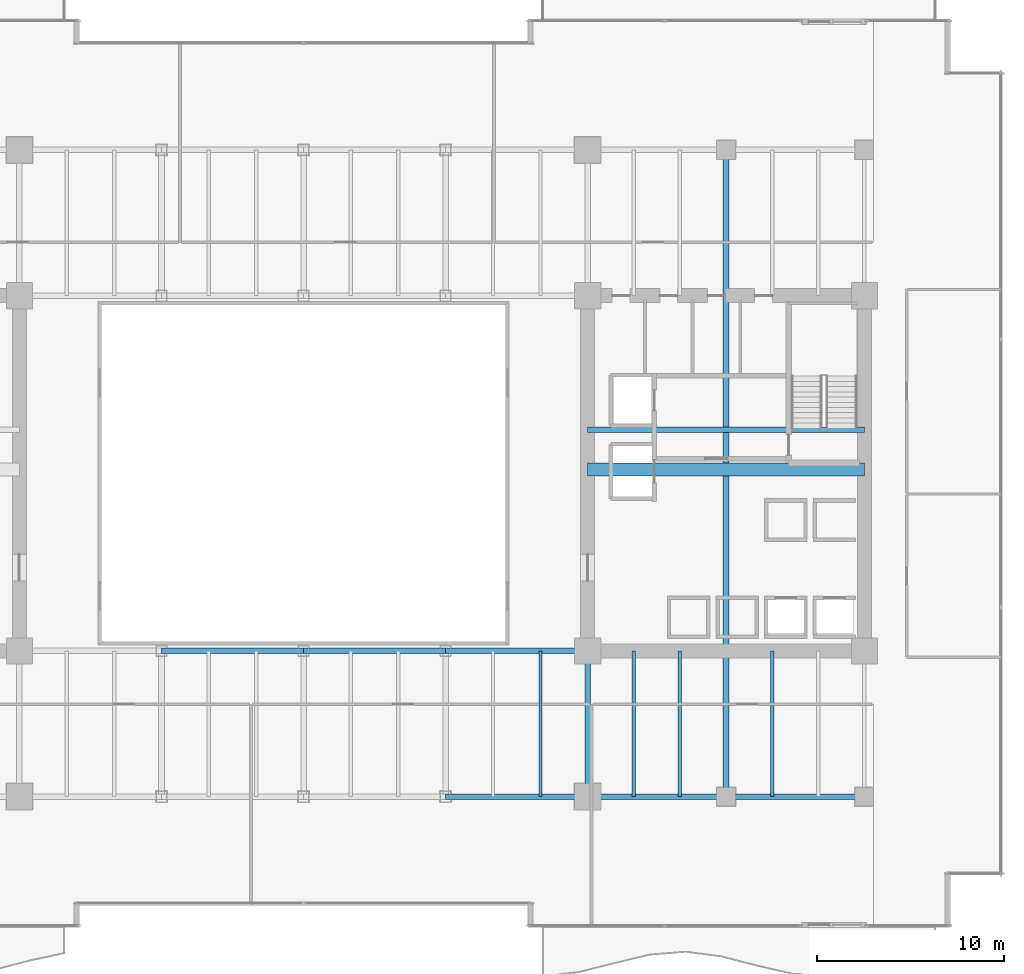
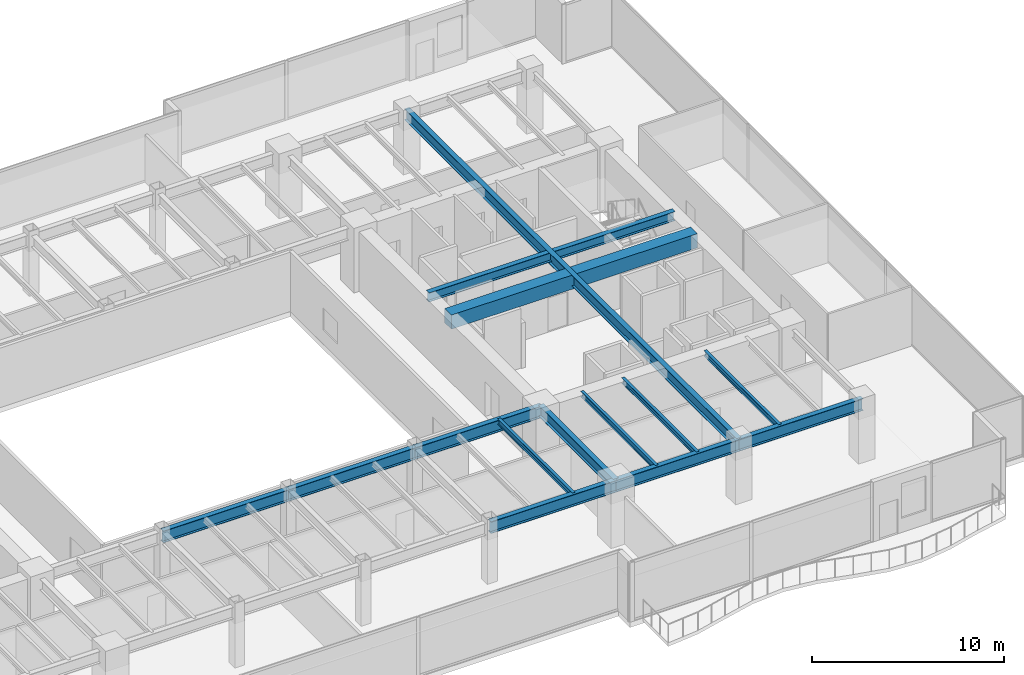
# One storey, part 11 of 32: 14 beams.
"""IFC4 building model written with IfcOpenShell, lengths in metres."""

from ifc_helpers import new_model, si_unit, direction, frame, origin, origin_2d, place, context, subcontext, project, spatial, rectangle, i_section, extrude, source, transform, mapped, material, material_profile, profile_set, type_object, type_shapes, element, save


model = new_model("IFC4")

# Units and contexts
model_context = context("Model", 3, precision=1e-05, world=origin(), true_north=direction((0.0, 1.0)))
body_context = subcontext(model_context, "Body", "Model", "MODEL_VIEW")
ifc_project = project(units=[si_unit("LENGTHUNIT", "METRE"), si_unit("AREAUNIT", "SQUARE_METRE"), si_unit("VOLUMEUNIT", "CUBIC_METRE"), si_unit("PLANEANGLEUNIT", "RADIAN"), si_unit("MASSUNIT", "GRAM", prefix="KILO")], contexts=[model_context])

# Site, building, storey
site_placement = place(None, origin())
site = spatial("IfcSite", under=ifc_project, at=site_placement, CompositionType="ELEMENT")
building_placement = place(site_placement, origin())
building = spatial("IfcBuilding", under=site, at=building_placement, Name="Haelvirn Gate Laboratories", CompositionType="ELEMENT")
storey_placement = place(building_placement, frame((0.0, 0.0, 33.39990234375)))
storey = spatial("IfcBuildingStorey", under=building, at=storey_placement, Name="L08", CompositionType="ELEMENT", Elevation=33.39990234375)

# Beams
ifc_material_1 = material(Name="Concrete C60/75", Category="concrete")
ifc_material_profile_1 = material_profile(ifc_material_1, rectangle(XDim=0.699951171875, YDim=0.89990234375, at=origin_2d()), Name="RCB-700x900")
ifc_profile_set_1 = profile_set([ifc_material_profile_1], Name="Concrete C60/75")
beam_type_1 = type_object("IfcBeamType", Name="BM-RCB-900", PredefinedType="LINTEL", material=ifc_profile_set_1)
shared_shape_1 = source(origin(), body_context, "Body", "SweptSolid", [
    extrude(rectangle(XDim=0.699951171875, YDim=0.89990234375, at=origin_2d()), origin(), (0.0, 0.0, 1.0), 14.7998046875),
])
type_shapes(beam_type_1, [shared_shape_1])
beam_1_placement = place(storey_placement, frame((52.60009765625, 24.5, 3.330078125), z_axis=(1.0, 0.0, 0.0), x_axis=(0.0, 1.0, 0.0)))
element("IfcBeam", 1, at=beam_1_placement, inside=storey, type_object=beam_type_1, Name="L08 East Core Coupling Beam", PredefinedType="LINTEL", context=body_context, shape_type="MappedRepresentation", body=[
    mapped(shared_shape_1, transform((0.0, 0.0, 0.0), scale=1.0)),
])
ifc_material_2 = material(Name="Steel SM355", Category="steel")
ifc_material_profile_2 = material_profile(ifc_material_2, i_section(OverallWidth=0.300048828125, OverallDepth=0.587890625, WebThickness=0.011962890625, FlangeThickness=0.02001953125, at=origin_2d()), Name="H-588x300x12x20")
ifc_profile_set_2 = profile_set([ifc_material_profile_2], Name="Steel SM355")
beam_type_2 = type_object("IfcBeamType", Name="BM-G-588", PredefinedType="BEAM", material=ifc_profile_set_2)
shared_shape_2 = source(origin(), body_context, "Body", "SweptSolid", [
    extrude(i_section(OverallWidth=0.300048828125, OverallDepth=0.587890625, WebThickness=0.011962890625, FlangeThickness=0.02001953125, at=origin_2d()), origin(), (0.0, 0.0, 1.0), 14.7998046875),
])
type_shapes(beam_type_2, [shared_shape_2])
beam_2_placement = place(storey_placement, frame((52.60009765625, 26.6201171875, 3.486083984375), z_axis=(1.0, 0.0, 0.0), x_axis=(0.0, 1.0, 0.0)))
element("IfcBeam", 2, at=beam_2_placement, inside=storey, type_object=beam_type_2, Name="L08 Stair ST2 Landing Header", PredefinedType="BEAM", context=body_context, shape_type="MappedRepresentation", body=[
    mapped(shared_shape_2, transform((0.0, 0.0, 0.0), scale=1.0)),
])
ifc_material_profile_3 = material_profile(ifc_material_2, i_section(OverallWidth=0.300048828125, OverallDepth=0.699951171875, WebThickness=0.012939453125, FlangeThickness=0.02392578125, at=origin_2d()), Name="H-700x300x13x24")
ifc_profile_set_3 = profile_set([ifc_material_profile_3], Name="Steel SM355")
beam_type_3 = type_object("IfcBeamType", Name="BM-G-700", PredefinedType="BEAM", material=ifc_profile_set_3)
shared_shape_3 = source(origin(), body_context, "Body", "SweptSolid", [
    extrude(i_section(OverallWidth=0.300048828125, OverallDepth=0.699951171875, WebThickness=0.012939453125, FlangeThickness=0.02392578125, at=origin_2d()), origin(), (0.0, 0.0, 1.0), 7.800048828125),
])
beam_3_placement = place(storey_placement, frame((52.60009765625, 7.0, 3.43017578125), z_axis=(0.0, 1.0, 0.0), x_axis=(-1.0, 0.0, 0.0)))
element("IfcBeam", 3, at=beam_3_placement, inside=storey, type_object=beam_type_3, Name="L08 Frame Girder X52.6 (7.0-14.8)", PredefinedType="BEAM", context=body_context, shape_type="MappedRepresentation", body=[
    mapped(shared_shape_3, transform((0.0, 0.0, 0.0), scale=1.0)),
])
shared_shape_4 = source(origin(), body_context, "Body", "SweptSolid", [
    extrude(i_section(OverallWidth=0.300048828125, OverallDepth=0.699951171875, WebThickness=0.012939453125, FlangeThickness=0.02392578125, at=origin_2d()), origin(), (0.0, 0.0, 1.0), 34.60009765625),
])
type_shapes(beam_type_3, [shared_shape_3, shared_shape_4])
beam_4_placement = place(storey_placement, frame((60.0, 7.0, 3.43017578125), z_axis=(0.0, 1.0, 0.0), x_axis=(-1.0, 0.0, 0.0)))
element("IfcBeam", 4, at=beam_4_placement, inside=storey, type_object=beam_type_3, Name="L08 Frame Girder X60.0 (7.0-41.6)", PredefinedType="BEAM", context=body_context, shape_type="MappedRepresentation", body=[
    mapped(shared_shape_4, transform((0.0, 0.0, 0.0), scale=1.0)),
])
ifc_material_profile_4 = material_profile(ifc_material_2, i_section(OverallWidth=0.300048828125, OverallDepth=0.75, WebThickness=0.013916015625, FlangeThickness=0.02392578125, at=origin_2d()), Name="H-750x300x14x24")
ifc_profile_set_4 = profile_set([ifc_material_profile_4], Name="Steel SM355")
beam_type_4 = type_object("IfcBeamType", Name="BM-G-750", PredefinedType="BEAM", material=ifc_profile_set_4)
shared_shape_5 = source(origin(), body_context, "Body", "SweptSolid", [
    extrude(i_section(OverallWidth=0.300048828125, OverallDepth=0.75, WebThickness=0.013916015625, FlangeThickness=0.02392578125, at=origin_2d()), origin(), (0.0, 0.0, 1.0), 7.39990234375),
])
for number, where, z_axis, x_axis, name in (
    (5, (52.60009765625, 7.0, 3.405029296875), (1.0, 0.0, 0.0), (0.0, 1.0, 0.0), "L08 Primary Girder Y7.0 (52.6-60.0)"),
    (6, (60.0, 7.0, 3.405029296875), (1.0, 0.0, 0.0), (0.0, 1.0, 0.0), "L08 Primary Girder Y7.0 (60.0-67.4)"),
):
    element("IfcBeam", number, at=place(storey_placement, frame(where, z_axis=z_axis, x_axis=x_axis)), inside=storey, type_object=beam_type_4, Name=name, PredefinedType="BEAM", context=body_context, shape_type="MappedRepresentation", body=[
        mapped(shared_shape_5, transform((0.0, 0.0, 0.0), scale=1.0)),
    ])
shared_shape_6 = source(origin(), body_context, "Body", "SweptSolid", [
    extrude(i_section(OverallWidth=0.300048828125, OverallDepth=0.75, WebThickness=0.013916015625, FlangeThickness=0.02392578125, at=origin_2d()), origin(), (0.0, 0.0, 1.0), 7.60009765625),
])
for number, where, z_axis, x_axis, name in (
    (7, (45.0, 7.0, 3.405029296875), (1.0, 0.0, 0.0), (0.0, 1.0, 0.0), "L08 Primary Girder Y7.0 (45.0-52.6)"),
    (8, (37.39990234375, 14.800048828125, 3.405029296875), (1.0, 0.0, 0.0), (0.0, 1.0, 0.0), "L08 Primary Girder Y14.8 (37.4-45.0)"),
    (9, (45.0, 14.800048828125, 3.405029296875), (1.0, 0.0, 0.0), (0.0, 1.0, 0.0), "L08 Primary Girder Y14.8 (45.0-52.6)"),
):
    element("IfcBeam", number, at=place(storey_placement, frame(where, z_axis=z_axis, x_axis=x_axis)), inside=storey, type_object=beam_type_4, Name=name, PredefinedType="BEAM", context=body_context, shape_type="MappedRepresentation", body=[
        mapped(shared_shape_6, transform((0.0, 0.0, 0.0), scale=1.0)),
    ])
shared_shape_7 = source(origin(), body_context, "Body", "SweptSolid", [
    extrude(i_section(OverallWidth=0.300048828125, OverallDepth=0.75, WebThickness=0.013916015625, FlangeThickness=0.02392578125, at=origin_2d()), origin(), (0.0, 0.0, 1.0), 7.599853515625),
])
type_shapes(beam_type_4, [shared_shape_5, shared_shape_6, shared_shape_7])
beam_5_placement = place(storey_placement, frame((29.800048828125, 14.800048828125, 3.405029296875), z_axis=(1.0, 0.0, 0.0), x_axis=(0.0, 1.0, 0.0)))
element("IfcBeam", 10, at=beam_5_placement, inside=storey, type_object=beam_type_4, Name="L08 Primary Girder Y14.8 (29.8-37.4)", PredefinedType="BEAM", context=body_context, shape_type="MappedRepresentation", body=[
    mapped(shared_shape_7, transform((0.0, 0.0, 0.0), scale=1.0)),
])
ifc_material_profile_5 = material_profile(ifc_material_2, i_section(OverallWidth=0.175048828125, OverallDepth=0.35009765625, WebThickness=0.007080078125, FlangeThickness=0.010986328125, at=origin_2d()), Name="H-350x175x7x11")
ifc_profile_set_5 = profile_set([ifc_material_profile_5], Name="Steel SM355")
beam_type_5 = type_object("IfcBeamType", Name="BM-J-350", PredefinedType="JOIST", material=ifc_profile_set_5)
shared_shape_8 = source(origin(), body_context, "Body", "SweptSolid", [
    extrude(i_section(OverallWidth=0.175048828125, OverallDepth=0.35009765625, WebThickness=0.007080078125, FlangeThickness=0.010986328125, at=origin_2d()), origin(), (0.0, 0.0, 1.0), 7.800048828125),
])
type_shapes(beam_type_5, [shared_shape_8])
for number, where, z_axis, x_axis, name in (
    (11, (50.070068359375, 7.0, 3.60498046875), (0.0, 1.0, 0.0), (-1.0, 0.0, 0.0), "L08 Composite Lab Joist South X50.07"),
    (12, (55.070068359375, 7.0, 3.60498046875), (0.0, 1.0, 0.0), (-1.0, 0.0, 0.0), "L08 Composite Lab Joist South X55.07"),
    (13, (57.530029296875, 7.0, 3.60498046875), (0.0, 1.0, 0.0), (-1.0, 0.0, 0.0), "L08 Composite Lab Joist South X57.53"),
    (14, (62.469970703125, 7.0, 3.60498046875), (0.0, 1.0, 0.0), (-1.0, 0.0, 0.0), "L08 Composite Lab Joist South X62.47"),
):
    element("IfcBeam", number, at=place(storey_placement, frame(where, z_axis=z_axis, x_axis=x_axis)), inside=storey, type_object=beam_type_5, Name=name, PredefinedType="JOIST", context=body_context, shape_type="MappedRepresentation", body=[
        mapped(shared_shape_8, transform((0.0, 0.0, 0.0), scale=1.0)),
    ])

save(model, "model.ifc")
